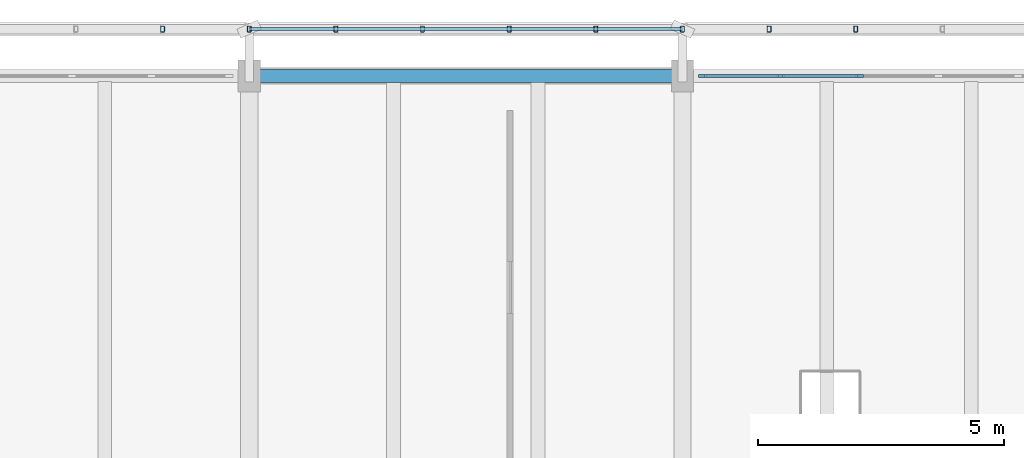
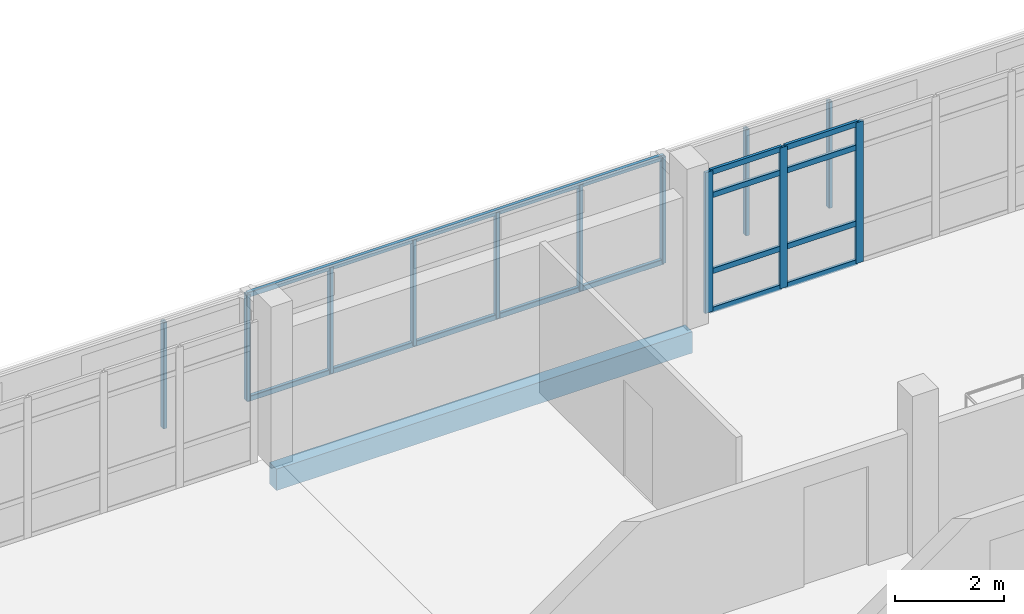
# One storey, part 14 of 30: 22 members, 1 beam, 1 element without a shape of its own.
"""IFC4 building model written with IfcOpenShell, lengths in metres."""

from ifc_helpers import new_model, si_unit, direction, frame, origin, origin_2d, place, context, subcontext, project, spatial, rectangle, hollow_rectangle, extrude, material, material_profile, profile_set, type_object, element, aggregate, save


model = new_model("IFC4")

# Units and contexts
model_context = context("Model", 3, precision=1e-05, world=origin(), true_north=direction((0.0, 1.0)))
body_context = subcontext(model_context, "Body", "Model", "MODEL_VIEW")
ifc_project = project(units=[si_unit("LENGTHUNIT", "METRE"), si_unit("AREAUNIT", "SQUARE_METRE"), si_unit("VOLUMEUNIT", "CUBIC_METRE"), si_unit("PLANEANGLEUNIT", "RADIAN"), si_unit("MASSUNIT", "GRAM", prefix="KILO")], contexts=[model_context])

# Site, building, storey
site_placement = place(None, origin())
site = spatial("IfcSite", under=ifc_project, at=site_placement, CompositionType="ELEMENT")
building_placement = place(site_placement, origin())
building = spatial("IfcBuilding", under=site, at=building_placement, Name="Cinderway Yard Community Centre", CompositionType="ELEMENT")
storey_placement = place(building_placement, frame((0.0, 0.0, 16.5)))
storey = spatial("IfcBuildingStorey", under=building, at=storey_placement, Name="L04", CompositionType="ELEMENT", Elevation=16.5)

# Curtain wall, members
ifc_material_1 = material(Name="Aluminium 6063-T6", Category="aluminium")
curtain_wall_type = type_object("IfcCurtainWallType", Name="ENV-CW-TYPE-33", PredefinedType="USERDEFINED", material=ifc_material_1)
curtain_wall_placement = place(storey_placement, origin())
curtain_wall = element("IfcCurtainWall", 1, at=curtain_wall_placement, inside=storey, type_object=curtain_wall_type, Name="V4 Street Curtain Wall ENV-CW-L04-ST-0183", ObjectType="GLAZED CURTAIN WALL", PredefinedType="USERDEFINED")
ifc_material_profile_1 = material_profile(ifc_material_1, rectangle(XDim=0.06005859375, YDim=0.159912109375, at=origin_2d()), Name="Aluminium 6063-T6")
ifc_profile_set_1 = profile_set([ifc_material_profile_1], Name="Aluminium 6063-T6")
member_type_1 = type_object("IfcMemberType", Name="ENV-CW-MULL-150", PredefinedType="MULLION", material=ifc_profile_set_1)
member_1_placement = place(storey_placement, frame((102.010009765625, 115.199951171875, 0.0), z_axis=(0.0, 0.0, 1.0), x_axis=(0.0, 1.0, 0.0)))
member_1 = element("IfcMember", 2, at=member_1_placement, type_object=member_type_1, Name="CW-33 mullion 1", PredefinedType="MULLION", context=body_context, shape_type="SweptSolid", body=[
    extrude(rectangle(XDim=0.06005859375, YDim=0.159912109375, at=origin_2d()), origin(), (0.0, 0.0, 1.0), 3.14990234375),
])
member_2_placement = place(storey_placement, frame((103.587890625, 115.199951171875, 0.0), z_axis=(0.0, 0.0, 1.0), x_axis=(0.0, 1.0, 0.0)))
member_2 = element("IfcMember", 3, at=member_2_placement, type_object=member_type_1, Name="CW-33 mullion 2", PredefinedType="MULLION", context=body_context, shape_type="SweptSolid", body=[
    extrude(rectangle(XDim=0.06005859375, YDim=0.159912109375, at=origin_2d()), origin(), (0.0, 0.0, 1.0), 3.14990234375),
])
member_3_placement = place(storey_placement, frame((105.196044921875, 115.199951171875, 0.0), z_axis=(0.0, 0.0, 1.0), x_axis=(0.0, 1.0, 0.0)))
member_3 = element("IfcMember", 4, at=member_3_placement, type_object=member_type_1, Name="CW-33 mullion 3", PredefinedType="MULLION", context=body_context, shape_type="SweptSolid", body=[
    extrude(rectangle(XDim=0.06005859375, YDim=0.159912109375, at=origin_2d()), origin(), (0.0, 0.0, 1.0), 3.14990234375),
])
ifc_material_profile_2 = material_profile(ifc_material_1, rectangle(XDim=0.06005859375, YDim=0.1201171875, at=origin_2d()), Name="Aluminium 6063-T6")
ifc_profile_set_2 = profile_set([ifc_material_profile_2], Name="Aluminium 6063-T6")
member_type_2 = type_object("IfcMemberType", Name="ENV-CW-TRAN-110", PredefinedType="USERDEFINED", material=ifc_profile_set_2)
member_4_placement = place(storey_placement, frame((102.0400390625, 115.199951171875, 0.030029296875), z_axis=(1.0, 0.0, 0.0), x_axis=(0.0, 1.0, 0.0)))
member_4 = element("IfcMember", 5, at=member_4_placement, type_object=member_type_2, Name="CW-33 transom 1.1", ObjectType="TRANSOM", PredefinedType="USERDEFINED", context=body_context, shape_type="SweptSolid", body=[
    extrude(rectangle(XDim=0.06005859375, YDim=0.1201171875, at=origin_2d()), origin(), (0.0, 0.0, 1.0), 1.51806640625),
])
member_5_placement = place(storey_placement, frame((102.0400390625, 115.199951171875, 0.89990234375), z_axis=(1.0, 0.0, 0.0), x_axis=(0.0, 1.0, 0.0)))
member_5 = element("IfcMember", 6, at=member_5_placement, type_object=member_type_2, Name="CW-33 transom 1.2", ObjectType="TRANSOM", PredefinedType="USERDEFINED", context=body_context, shape_type="SweptSolid", body=[
    extrude(rectangle(XDim=0.06005859375, YDim=0.1201171875, at=origin_2d()), origin(), (0.0, 0.0, 1.0), 1.51806640625),
])
member_6_placement = place(storey_placement, frame((102.0400390625, 115.199951171875, 2.60009765625), z_axis=(1.0, 0.0, 0.0), x_axis=(0.0, 1.0, 0.0)))
member_6 = element("IfcMember", 7, at=member_6_placement, type_object=member_type_2, Name="CW-33 transom 1.3", ObjectType="TRANSOM", PredefinedType="USERDEFINED", context=body_context, shape_type="SweptSolid", body=[
    extrude(rectangle(XDim=0.06005859375, YDim=0.1201171875, at=origin_2d()), origin(), (0.0, 0.0, 1.0), 1.51806640625),
])
member_7_placement = place(storey_placement, frame((102.0400390625, 115.199951171875, 3.1201171875), z_axis=(1.0, 0.0, 0.0), x_axis=(0.0, 1.0, 0.0)))
member_7 = element("IfcMember", 8, at=member_7_placement, type_object=member_type_2, Name="CW-33 transom 1.4", ObjectType="TRANSOM", PredefinedType="USERDEFINED", context=body_context, shape_type="SweptSolid", body=[
    extrude(rectangle(XDim=0.06005859375, YDim=0.1201171875, at=origin_2d()), origin(), (0.0, 0.0, 1.0), 1.51806640625),
])
member_8_placement = place(storey_placement, frame((103.617919921875, 115.199951171875, 0.030029296875), z_axis=(1.0, 0.0, 0.0), x_axis=(0.0, 1.0, 0.0)))
member_8 = element("IfcMember", 9, at=member_8_placement, type_object=member_type_2, Name="CW-33 transom 2.1", ObjectType="TRANSOM", PredefinedType="USERDEFINED", context=body_context, shape_type="SweptSolid", body=[
    extrude(rectangle(XDim=0.06005859375, YDim=0.1201171875, at=origin_2d()), origin(), (0.0, 0.0, 1.0), 1.548095703125),
])
member_9_placement = place(storey_placement, frame((103.617919921875, 115.199951171875, 0.89990234375), z_axis=(1.0, 0.0, 0.0), x_axis=(0.0, 1.0, 0.0)))
member_9 = element("IfcMember", 10, at=member_9_placement, type_object=member_type_2, Name="CW-33 transom 2.2", ObjectType="TRANSOM", PredefinedType="USERDEFINED", context=body_context, shape_type="SweptSolid", body=[
    extrude(rectangle(XDim=0.06005859375, YDim=0.1201171875, at=origin_2d()), origin(), (0.0, 0.0, 1.0), 1.548095703125),
])
member_10_placement = place(storey_placement, frame((103.617919921875, 115.199951171875, 2.60009765625), z_axis=(1.0, 0.0, 0.0), x_axis=(0.0, 1.0, 0.0)))
member_10 = element("IfcMember", 11, at=member_10_placement, type_object=member_type_2, Name="CW-33 transom 2.3", ObjectType="TRANSOM", PredefinedType="USERDEFINED", context=body_context, shape_type="SweptSolid", body=[
    extrude(rectangle(XDim=0.06005859375, YDim=0.1201171875, at=origin_2d()), origin(), (0.0, 0.0, 1.0), 1.548095703125),
])
member_11_placement = place(storey_placement, frame((103.617919921875, 115.199951171875, 3.1201171875), z_axis=(1.0, 0.0, 0.0), x_axis=(0.0, 1.0, 0.0)))
member_11 = element("IfcMember", 12, at=member_11_placement, type_object=member_type_2, Name="CW-33 transom 2.4", ObjectType="TRANSOM", PredefinedType="USERDEFINED", context=body_context, shape_type="SweptSolid", body=[
    extrude(rectangle(XDim=0.06005859375, YDim=0.1201171875, at=origin_2d()), origin(), (0.0, 0.0, 1.0), 1.548095703125),
])
aggregate(curtain_wall, [member_1, member_2, member_3, member_4, member_5, member_6, member_7, member_8, member_9, member_10, member_11])

# Members
ifc_material_2 = material(Name="Steel S355", Category="steel")
ifc_material_profile_3 = material_profile(ifc_material_2, hollow_rectangle(XDim=0.080078125, YDim=0.1201171875, WallThickness=0.00634765625, InnerFilletRadius=0.00634765625, OuterFilletRadius=0.0126953125, at=origin_2d()), Name="Steel S355")
ifc_profile_set_3 = profile_set([ifc_material_profile_3], Name="Steel S355")
member_type_3 = type_object("IfcMemberType", Name="ENV-MEM-SCREEN-RAIL-120", PredefinedType="STRINGER", material=ifc_profile_set_3)
for number, where, z_axis, x_axis, name in (
    (13, (91.0400390625, 116.14990234375, 0.68994140625), (0.0, 0.0, 1.0), (1.0, 0.0, 0.0), "Screen vertical mullion 0290"),
    (14, (92.800048828125, 116.14990234375, 0.68994140625), (0.0, 0.0, 1.0), (1.0, 0.0, 0.0), "Screen vertical mullion 0291"),
):
    element("IfcMember", number, at=place(storey_placement, frame(where, z_axis=z_axis, x_axis=x_axis)), inside=storey, type_object=member_type_3, Name=name, PredefinedType="STRINGER", context=body_context, shape_type="SweptSolid", body=[
        extrude(hollow_rectangle(XDim=0.080078125, YDim=0.1201171875, WallThickness=0.00634765625, InnerFilletRadius=0.00634765625, OuterFilletRadius=0.0126953125, at=origin_2d()), origin(), (0.0, 0.0, 1.0), 2.3701171875),
    ])
for number, where, z_axis, x_axis, name in (
    (15, (92.800048828125, 116.14990234375, 0.7099609375), (1.0, 0.0, 0.0), (0.0, 1.0, 0.0), "Screen support rail 0293-BOT"),
    (16, (92.800048828125, 116.14990234375, 3.0400390625), (1.0, 0.0, 0.0), (0.0, 1.0, 0.0), "Screen support rail 0294-TOP"),
):
    element("IfcMember", number, at=place(storey_placement, frame(where, z_axis=z_axis, x_axis=x_axis)), inside=storey, type_object=member_type_3, Name=name, PredefinedType="STRINGER", context=body_context, shape_type="SweptSolid", body=[
        extrude(hollow_rectangle(XDim=0.080078125, YDim=0.1201171875, WallThickness=0.00634765625, InnerFilletRadius=0.00634765625, OuterFilletRadius=0.0126953125, at=origin_2d()), origin(), (0.0, 0.0, 1.0), 8.800048828125),
    ])
for number, where, z_axis, x_axis, name in (
    (17, (94.56005859375, 116.14990234375, 0.68994140625), (0.0, 0.0, 1.0), (1.0, 0.0, 0.0), "Screen vertical mullion 0295"),
    (18, (96.320068359375, 116.14990234375, 0.68994140625), (0.0, 0.0, 1.0), (1.0, 0.0, 0.0), "Screen vertical mullion 0296"),
    (19, (98.080078125, 116.14990234375, 0.68994140625), (0.0, 0.0, 1.0), (1.0, 0.0, 0.0), "Screen vertical mullion 0297"),
    (20, (99.840087890625, 116.14990234375, 0.68994140625), (0.0, 0.0, 1.0), (1.0, 0.0, 0.0), "Screen vertical mullion 0298"),
    (21, (101.60009765625, 116.14990234375, 0.68994140625), (0.0, 0.0, 1.0), (1.0, 0.0, 0.0), "Screen vertical mullion 0299"),
    (22, (103.360107421875, 116.14990234375, 0.68994140625), (0.0, 0.0, 1.0), (1.0, 0.0, 0.0), "Screen vertical mullion 0303"),
    (23, (105.1201171875, 116.14990234375, 0.68994140625), (0.0, 0.0, 1.0), (1.0, 0.0, 0.0), "Screen vertical mullion 0304"),
):
    element("IfcMember", number, at=place(storey_placement, frame(where, z_axis=z_axis, x_axis=x_axis)), inside=storey, type_object=member_type_3, Name=name, PredefinedType="STRINGER", context=body_context, shape_type="SweptSolid", body=[
        extrude(hollow_rectangle(XDim=0.080078125, YDim=0.1201171875, WallThickness=0.00634765625, InnerFilletRadius=0.00634765625, OuterFilletRadius=0.0126953125, at=origin_2d()), origin(), (0.0, 0.0, 1.0), 2.3701171875),
    ])

# Beam
ifc_material_3 = material(Name="Concrete C40/50", Category="concrete")
ifc_material_profile_4 = material_profile(ifc_material_3, rectangle(XDim=0.260009765625, YDim=0.47998046875, at=origin_2d()), Name="Concrete C40/50")
ifc_profile_set_4 = profile_set([ifc_material_profile_4], Name="Concrete C40/50")
beam_type = type_object("IfcBeamType", Name="STR-BM-RC260X480", PredefinedType="SPANDREL", material=ifc_profile_set_4)
beam_placement = place(storey_placement, frame((92.800048828125, 115.199951171875, -0.4599609375), z_axis=(1.0, 0.0, 0.0), x_axis=(0.0, 1.0, 0.0)))
element("IfcBeam", 24, at=beam_placement, inside=storey, type_object=beam_type, Name="Primary girder STR-BM-L04-SP01-0838", PredefinedType="SPANDREL", context=body_context, shape_type="SweptSolid", body=[
    extrude(rectangle(XDim=0.260009765625, YDim=0.47998046875, at=origin_2d()), origin(), (0.0, 0.0, 1.0), 8.800048828125),
])

save(model, "model.ifc")
